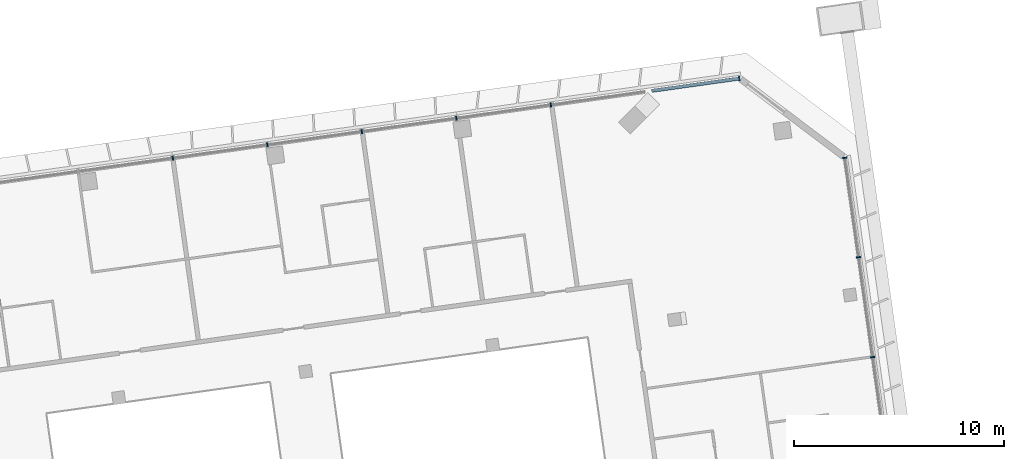
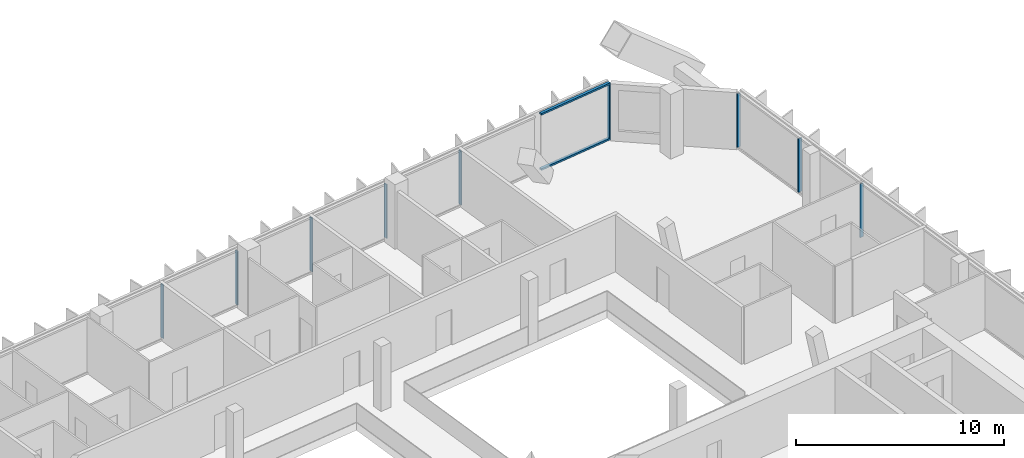
# One storey, part 15 of 32: 11 members, 2 elements without a shape of their own.
"""IFC4 building model written with IfcOpenShell, lengths in metres."""

from ifc_helpers import new_model, si_unit, direction, frame, origin, origin_2d, place, context, subcontext, project, spatial, rectangle, extrude, material, material_profile, profile_set, type_object, element, aggregate, save


model = new_model("IFC4")

# Units and contexts
model_context = context("Model", 3, precision=1e-05, world=origin(), true_north=direction((0.0, 1.0)))
body_context = subcontext(model_context, "Body", "Model", "MODEL_VIEW")
ifc_project = project(units=[si_unit("LENGTHUNIT", "METRE"), si_unit("AREAUNIT", "SQUARE_METRE"), si_unit("VOLUMEUNIT", "CUBIC_METRE"), si_unit("PLANEANGLEUNIT", "RADIAN"), si_unit("MASSUNIT", "GRAM", prefix="KILO")], contexts=[model_context])

# Site, building, storey
site_placement = place(None, origin())
site = spatial("IfcSite", under=ifc_project, at=site_placement, CompositionType="ELEMENT")
building_placement = place(site_placement, origin())
building = spatial("IfcBuilding", under=site, at=building_placement, Name="Mirante Cascada Hotel Towers", CompositionType="ELEMENT")
storey_placement = place(building_placement, frame((0.0, 0.0, 176.4)))
storey = spatial("IfcBuildingStorey", under=building, at=storey_placement, Name="L41", CompositionType="ELEMENT", Elevation=176.4)

# Curtain wall, members
ifc_material_1 = material(Name="Aluminium mullion and transom frame with clear laminated glass", Category="aluminium")
curtain_wall_type_1 = type_object("IfcCurtainWallType", Name="Ribbon curtain wall ECW1", PredefinedType="NOTDEFINED", material=ifc_material_1)
curtain_wall_1_placement = place(storey_placement, origin())
curtain_wall_1 = element("IfcCurtainWall", 1, at=curtain_wall_1_placement, inside=storey, type_object=curtain_wall_type_1, Name="Front ribbon wall T2 L41", PredefinedType="NOTDEFINED")
ifc_material_2 = material(Name="Anodised aluminium extrusion", Category="aluminium")
ifc_material_profile_1 = material_profile(ifc_material_2, rectangle(XDim=0.2, YDim=0.065, at=origin_2d()), Name="ECW1 MULLION 65x200")
ifc_profile_set_1 = profile_set([ifc_material_profile_1], Name="Anodised aluminium extrusion")
member_type_1 = type_object("IfcMemberType", Name="ECW1 mullion 65x200", PredefinedType="MULLION", material=ifc_profile_set_1)
member_1_placement = place(storey_placement, frame((85.2136, 24.795, 0.1), z_axis=(0.0, 0.0, 1.0), x_axis=(0.1391731, -0.9902681, 0.0)))
member_1 = element("IfcMember", 2, at=member_1_placement, type_object=member_type_1, Name="ECW1 mullion 1", PredefinedType="MULLION", context=body_context, shape_type="SweptSolid", body=[
    extrude(rectangle(XDim=0.2, YDim=0.065, at=origin_2d()), origin(), (0.0, 0.0, 1.0), 3.15),
])
member_2_placement = place(storey_placement, frame((76.2366, 23.5334, 0.1), z_axis=(0.0, 0.0, 1.0), x_axis=(0.1391731, -0.9902681, 0.0)))
member_2 = element("IfcMember", 3, at=member_2_placement, type_object=member_type_1, Name="ECW1 mullion 3", PredefinedType="MULLION", context=body_context, shape_type="SweptSolid", body=[
    extrude(rectangle(XDim=0.2, YDim=0.065, at=origin_2d()), origin(), (0.0, 0.0, 1.0), 3.15),
])
member_3_placement = place(storey_placement, frame((71.7321, 22.9003, 0.1), z_axis=(0.0, 0.0, 1.0), x_axis=(0.1391731, -0.9902681, 0.0)))
member_3 = element("IfcMember", 4, at=member_3_placement, type_object=member_type_1, Name="ECW1 mullion 4", PredefinedType="MULLION", context=body_context, shape_type="SweptSolid", body=[
    extrude(rectangle(XDim=0.2, YDim=0.065, at=origin_2d()), origin(), (0.0, 0.0, 1.0), 3.15),
])
member_4_placement = place(storey_placement, frame((67.2275, 22.2672, 0.1), z_axis=(0.0, 0.0, 1.0), x_axis=(0.1391731, -0.9902681, 0.0)))
member_4 = element("IfcMember", 5, at=member_4_placement, type_object=member_type_1, Name="ECW1 mullion 5", PredefinedType="MULLION", context=body_context, shape_type="SweptSolid", body=[
    extrude(rectangle(XDim=0.2, YDim=0.065, at=origin_2d()), origin(), (0.0, 0.0, 1.0), 3.15),
])
member_5_placement = place(storey_placement, frame((62.723, 21.6342, 0.1), z_axis=(0.0, 0.0, 1.0), x_axis=(0.1391731, -0.9902681, 0.0)))
member_5 = element("IfcMember", 6, at=member_5_placement, type_object=member_type_1, Name="ECW1 mullion 6", PredefinedType="MULLION", context=body_context, shape_type="SweptSolid", body=[
    extrude(rectangle(XDim=0.2, YDim=0.065, at=origin_2d()), origin(), (0.0, 0.0, 1.0), 3.15),
])
member_6_placement = place(storey_placement, frame((58.2184, 21.0011, 0.1), z_axis=(0.0, 0.0, 1.0), x_axis=(0.1391731, -0.9902681, 0.0)))
member_6 = element("IfcMember", 7, at=member_6_placement, type_object=member_type_1, Name="ECW1 mullion 7", PredefinedType="MULLION", context=body_context, shape_type="SweptSolid", body=[
    extrude(rectangle(XDim=0.2, YDim=0.065, at=origin_2d()), origin(), (0.0, 0.0, 1.0), 3.15),
])
ifc_material_3 = material(Name="Anodised aluminium extrusion", Category="aluminium")
ifc_material_profile_2 = material_profile(ifc_material_3, rectangle(XDim=0.16, YDim=0.1, at=origin_2d()), Name="ECW1 TRANSOM 100x160")
ifc_profile_set_2 = profile_set([ifc_material_profile_2], Name="Anodised aluminium extrusion")
member_type_2 = type_object("IfcMemberType", Name="ECW1 transom 100x160", PredefinedType="USERDEFINED", material=ifc_profile_set_2)
member_7_placement = place(storey_placement, frame((85.2457, 24.7995, 0.05), z_axis=(-0.9902683, -0.1391714, 0.0), x_axis=(0.1391714, -0.9902683, 0.0)))
member_7 = element("IfcMember", 8, at=member_7_placement, type_object=member_type_2, Name="ECW1 sill transom", ObjectType="TRANSOM", PredefinedType="USERDEFINED", context=body_context, shape_type="SweptSolid", body=[
    extrude(rectangle(XDim=0.16, YDim=0.1, at=origin_2d()), origin(), (0.0, 0.0, 1.0), 4.207),
])
member_8_placement = place(storey_placement, frame((85.2457, 24.7995, 3.3), z_axis=(-0.9902683, -0.1391714, 0.0), x_axis=(0.1391714, -0.9902683, 0.0)))
member_8 = element("IfcMember", 9, at=member_8_placement, type_object=member_type_2, Name="ECW1 head transom", ObjectType="TRANSOM", PredefinedType="USERDEFINED", context=body_context, shape_type="SweptSolid", body=[
    extrude(rectangle(XDim=0.16, YDim=0.1, at=origin_2d()), origin(), (0.0, 0.0, 1.0), 4.207),
])
aggregate(curtain_wall_1, [member_7, member_8, member_1, member_2, member_3, member_4, member_5, member_6])

ifc_material_4 = material(Name="Aluminium mullion and transom frame with clear laminated glass", Category="aluminium")
curtain_wall_type_2 = type_object("IfcCurtainWallType", Name="End ribbon curtain wall ECW2", PredefinedType="NOTDEFINED", material=ifc_material_4)
curtain_wall_2_placement = place(storey_placement, origin())
curtain_wall_2 = element("IfcCurtainWall", 10, at=curtain_wall_2_placement, inside=storey, type_object=curtain_wall_type_2, Name="Outer end wall T2 L41", PredefinedType="NOTDEFINED")
ifc_material_5 = material(Name="Anodised aluminium extrusion", Category="aluminium")
ifc_material_profile_3 = material_profile(ifc_material_5, rectangle(XDim=0.2, YDim=0.065, at=origin_2d()), Name="ECW2 MULLION 65x200")
ifc_profile_set_3 = profile_set([ifc_material_profile_3], Name="Anodised aluminium extrusion")
member_type_3 = type_object("IfcMemberType", Name="ECW2 mullion 65x200", PredefinedType="MULLION", material=ifc_profile_set_3)
member_9_placement = place(storey_placement, frame((91.5686, 11.5128, 0.1), z_axis=(0.0, 0.0, 1.0), x_axis=(-0.9902681, -0.1391731, 0.0)))
member_9 = element("IfcMember", 11, at=member_9_placement, type_object=member_type_3, Name="ECW2 mullion 5", PredefinedType="MULLION", context=body_context, shape_type="SweptSolid", body=[
    extrude(rectangle(XDim=0.2, YDim=0.065, at=origin_2d()), origin(), (0.0, 0.0, 1.0), 3.15),
])
member_10_placement = place(storey_placement, frame((90.8988, 16.2786, 0.1), z_axis=(0.0, 0.0, 1.0), x_axis=(-0.9902681, -0.1391731, 0.0)))
member_10 = element("IfcMember", 12, at=member_10_placement, type_object=member_type_3, Name="ECW2 mullion 6", PredefinedType="MULLION", context=body_context, shape_type="SweptSolid", body=[
    extrude(rectangle(XDim=0.2, YDim=0.065, at=origin_2d()), origin(), (0.0, 0.0, 1.0), 3.15),
])
member_11_placement = place(storey_placement, frame((90.2335, 21.0122, 0.1), z_axis=(0.0, 0.0, 1.0), x_axis=(-0.9902681, -0.1391731, 0.0)))
member_11 = element("IfcMember", 13, at=member_11_placement, type_object=member_type_3, Name="ECW2 mullion 7", PredefinedType="MULLION", context=body_context, shape_type="SweptSolid", body=[
    extrude(rectangle(XDim=0.2, YDim=0.065, at=origin_2d()), origin(), (0.0, 0.0, 1.0), 3.15),
])
aggregate(curtain_wall_2, [member_9, member_10, member_11])

save(model, "model.ifc")
